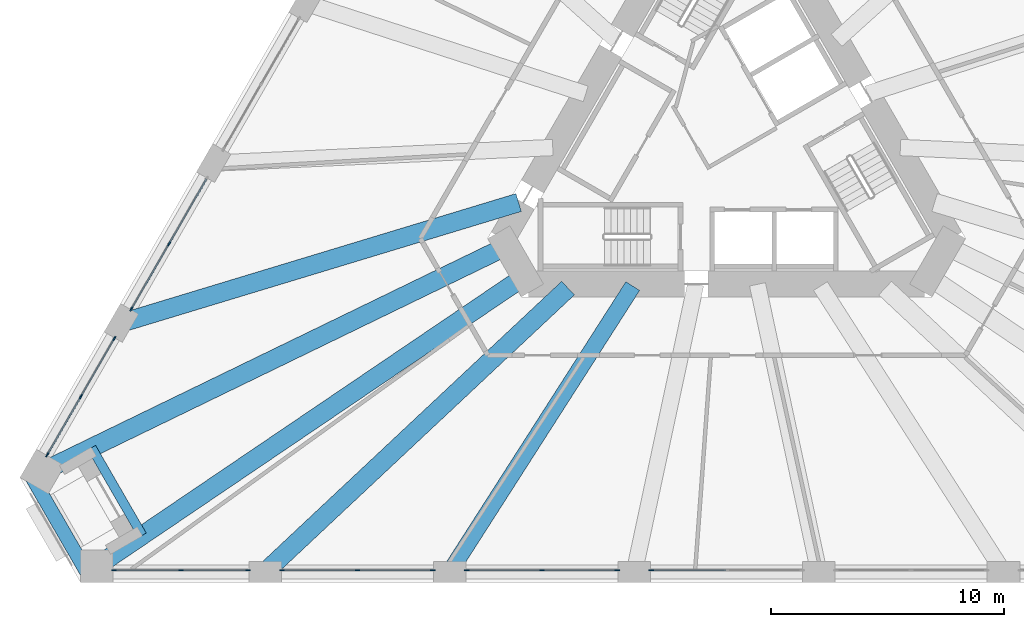
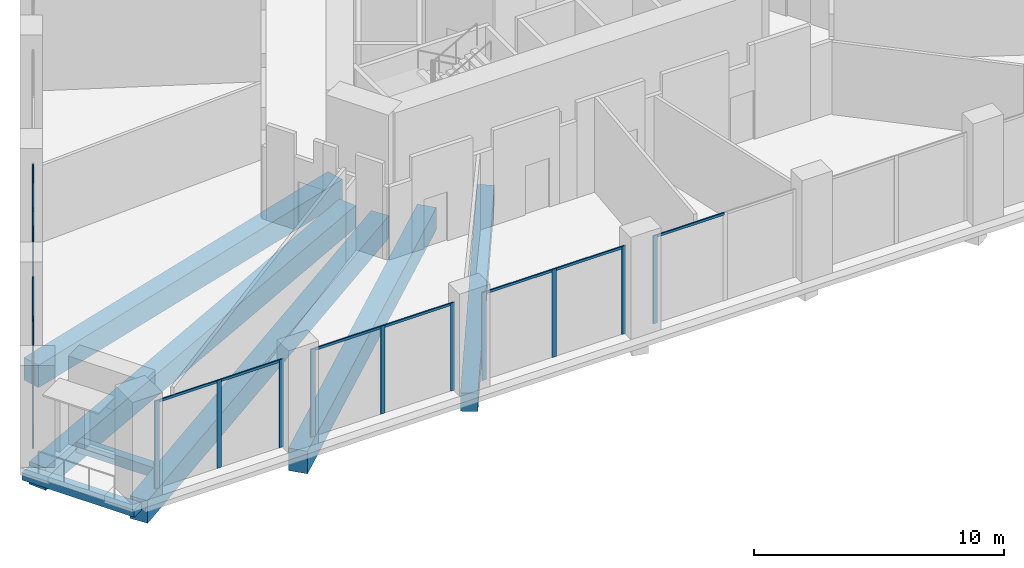
# One storey, part 2 of 20: 26 members, 7 beams, 6 elements without a shape of their own.
"""IFC4 building model written with IfcOpenShell, lengths in metres."""

from ifc_helpers import new_model, si_unit, direction, frame, origin, origin_2d, place, context, subcontext, project, spatial, rectangle, extrude, material, layer, layer_set, material_profile, profile_set, type_object, element, aggregate, save


model = new_model("IFC4")

# Units and contexts
model_context = context("Model", 3, precision=1e-05, world=origin(), true_north=direction((0.0, 1.0)))
body_context = subcontext(model_context, "Body", "Model", "MODEL_VIEW")
ifc_project = project(units=[si_unit("LENGTHUNIT", "METRE"), si_unit("AREAUNIT", "SQUARE_METRE"), si_unit("VOLUMEUNIT", "CUBIC_METRE"), si_unit("PLANEANGLEUNIT", "RADIAN"), si_unit("MASSUNIT", "GRAM", prefix="KILO")], contexts=[model_context])

# Site, building, storey
site_placement = place(None, origin())
site = spatial("IfcSite", under=ifc_project, at=site_placement, CompositionType="ELEMENT")
building_placement = place(site_placement, origin())
building = spatial("IfcBuilding", under=site, at=building_placement, Name="Tramontana Tower", CompositionType="ELEMENT")
storey_placement = place(building_placement, frame((0.0, 0.0, 20.0)))
storey = spatial("IfcBuildingStorey", under=building, at=storey_placement, Name="L03", CompositionType="ELEMENT", Elevation=20.0)

# Curtain wall, members
ifc_material_1 = material(Name="Aluminum extrusion", Category="aluminium")
ifc_layer = layer(ifc_material_1, 0.14990234375)
ifc_layer_set = layer_set([ifc_layer], Name="CW2 Podium amenity curtain wall")
curtain_wall_type = type_object("IfcCurtainWallType", Name="CW2 Podium amenity curtain wall", PredefinedType="NOTDEFINED", material=ifc_layer_set)
curtain_wall_1_placement = place(storey_placement, origin())
curtain_wall_1 = element("IfcCurtainWall", 1, at=curtain_wall_1_placement, inside=storey, type_object=curtain_wall_type, Name="CW2 curtain wall L03 face 0 bay 6", PredefinedType="NOTDEFINED")
ifc_material_2 = material(Name="Aluminum extrusion", Category="aluminium")
ifc_material_profile_1 = material_profile(ifc_material_2, rectangle(XDim=0.06005859375, YDim=0.199951171875, at=origin_2d()), Name="CW2-M Mullion 60 x 200")
ifc_profile_set_1 = profile_set([ifc_material_profile_1], Name="Aluminum extrusion")
member_type_1 = type_object("IfcMemberType", Name="CW2-M Mullion 60 x 200", PredefinedType="MULLION", material=ifc_profile_set_1)
member_1_placement = place(storey_placement, frame((-23.917724609375, -4.476806640625, 0.0), z_axis=(0.0, 0.0, 1.0), x_axis=(0.866025403784, -0.5, 0.0)))
member_1 = element("IfcMember", 2, at=member_1_placement, type_object=member_type_1, Name="CW2 curtain wall L03 face 0 bay 6 mullion 2", PredefinedType="MULLION", context=body_context, shape_type="SweptSolid", body=[
    extrude(rectangle(XDim=0.06005859375, YDim=0.199951171875, at=origin_2d()), origin(), (0.0, 0.0, 1.0), 4.300048828125),
])
member_2_placement = place(storey_placement, frame((-25.5322265625, -7.273193359375, 0.0), z_axis=(0.0, 0.0, 1.0), x_axis=(0.866025403784, -0.5, 0.0)))
member_2 = element("IfcMember", 3, at=member_2_placement, type_object=member_type_1, Name="CW2 curtain wall L03 face 0 bay 6 mullion 3", PredefinedType="MULLION", context=body_context, shape_type="SweptSolid", body=[
    extrude(rectangle(XDim=0.06005859375, YDim=0.199951171875, at=origin_2d()), origin(), (0.0, 0.0, 1.0), 4.300048828125),
])

curtain_wall_2_placement = place(storey_placement, origin())
curtain_wall_2 = element("IfcCurtainWall", 4, at=curtain_wall_2_placement, inside=storey, type_object=curtain_wall_type, Name="CW2 curtain wall L03 face 0 bay 7", PredefinedType="NOTDEFINED")
member_3_placement = place(storey_placement, frame((-26.26220703125, -8.53759765625, 0.0), z_axis=(0.0, 0.0, 1.0), x_axis=(0.866025403784, -0.5, 0.0)))
member_3 = element("IfcMember", 5, at=member_3_placement, type_object=member_type_1, Name="CW2 curtain wall L03 face 0 bay 7 mullion 1", PredefinedType="MULLION", context=body_context, shape_type="SweptSolid", body=[
    extrude(rectangle(XDim=0.06005859375, YDim=0.199951171875, at=origin_2d()), origin(), (0.0, 0.0, 1.0), 4.300048828125),
])
member_4_placement = place(storey_placement, frame((-27.70166015625, -11.03076171875, 0.0), z_axis=(0.0, 0.0, 1.0), x_axis=(0.866025403784, -0.5, 0.0)))
member_4 = element("IfcMember", 6, at=member_4_placement, type_object=member_type_1, Name="CW2 curtain wall L03 face 0 bay 7 mullion 2", PredefinedType="MULLION", context=body_context, shape_type="SweptSolid", body=[
    extrude(rectangle(XDim=0.06005859375, YDim=0.199951171875, at=origin_2d()), origin(), (0.0, 0.0, 1.0), 4.300048828125),
])
member_5_placement = place(storey_placement, frame((-29.14111328125, -13.524169921875, 0.0), z_axis=(0.0, 0.0, 1.0), x_axis=(0.866025403784, -0.5, 0.0)))
member_5 = element("IfcMember", 7, at=member_5_placement, type_object=member_type_1, Name="CW2 curtain wall L03 face 0 bay 7 mullion 3", PredefinedType="MULLION", context=body_context, shape_type="SweptSolid", body=[
    extrude(rectangle(XDim=0.06005859375, YDim=0.199951171875, at=origin_2d()), origin(), (0.0, 0.0, 1.0), 4.300048828125),
])

curtain_wall_3_placement = place(storey_placement, origin())
curtain_wall_3 = element("IfcCurtainWall", 8, at=curtain_wall_3_placement, inside=storey, type_object=curtain_wall_type, Name="CW2 curtain wall L03 face 1 bay 1", PredefinedType="NOTDEFINED")
member_6_placement = place(storey_placement, frame((-26.28271484375, -18.47509765625, 0.0), z_axis=(0.0, 0.0, 1.0), x_axis=(0.0, 1.0, 0.0)))
member_6 = element("IfcMember", 9, at=member_6_placement, type_object=member_type_1, Name="CW2 curtain wall L03 face 1 bay 1 mullion 1", PredefinedType="MULLION", context=body_context, shape_type="SweptSolid", body=[
    extrude(rectangle(XDim=0.06005859375, YDim=0.199951171875, at=origin_2d()), origin(), (0.0, 0.0, 1.0), 4.300048828125),
])
member_7_placement = place(storey_placement, frame((-23.40380859375, -18.47509765625, 0.0), z_axis=(0.0, 0.0, 1.0), x_axis=(0.0, 1.0, 0.0)))
member_7 = element("IfcMember", 10, at=member_7_placement, type_object=member_type_1, Name="CW2 curtain wall L03 face 1 bay 1 mullion 2", PredefinedType="MULLION", context=body_context, shape_type="SweptSolid", body=[
    extrude(rectangle(XDim=0.06005859375, YDim=0.199951171875, at=origin_2d()), origin(), (0.0, 0.0, 1.0), 4.300048828125),
])
member_8_placement = place(storey_placement, frame((-20.52490234375, -18.47509765625, 0.0), z_axis=(0.0, 0.0, 1.0), x_axis=(0.0, 1.0, 0.0)))
member_8 = element("IfcMember", 11, at=member_8_placement, type_object=member_type_1, Name="CW2 curtain wall L03 face 1 bay 1 mullion 3", PredefinedType="MULLION", context=body_context, shape_type="SweptSolid", body=[
    extrude(rectangle(XDim=0.06005859375, YDim=0.199951171875, at=origin_2d()), origin(), (0.0, 0.0, 1.0), 4.300048828125),
])

curtain_wall_4_placement = place(storey_placement, origin())
curtain_wall_4 = element("IfcCurtainWall", 12, at=curtain_wall_4_placement, inside=storey, type_object=curtain_wall_type, Name="CW2 curtain wall L03 face 1 bay 2", PredefinedType="NOTDEFINED")
member_9_placement = place(storey_placement, frame((-19.06494140625, -18.47509765625, 0.0), z_axis=(0.0, 0.0, 1.0), x_axis=(0.0, 1.0, 0.0)))
member_9 = element("IfcMember", 13, at=member_9_placement, type_object=member_type_1, Name="CW2 curtain wall L03 face 1 bay 2 mullion 1", PredefinedType="MULLION", context=body_context, shape_type="SweptSolid", body=[
    extrude(rectangle(XDim=0.06005859375, YDim=0.199951171875, at=origin_2d()), origin(), (0.0, 0.0, 1.0), 4.300048828125),
])
member_10_placement = place(storey_placement, frame((-15.8359375, -18.47509765625, 0.0), z_axis=(0.0, 0.0, 1.0), x_axis=(0.0, 1.0, 0.0)))
member_10 = element("IfcMember", 14, at=member_10_placement, type_object=member_type_1, Name="CW2 curtain wall L03 face 1 bay 2 mullion 2", PredefinedType="MULLION", context=body_context, shape_type="SweptSolid", body=[
    extrude(rectangle(XDim=0.06005859375, YDim=0.199951171875, at=origin_2d()), origin(), (0.0, 0.0, 1.0), 4.300048828125),
])
member_11_placement = place(storey_placement, frame((-12.60693359375, -18.47509765625, 0.0), z_axis=(0.0, 0.0, 1.0), x_axis=(0.0, 1.0, 0.0)))
member_11 = element("IfcMember", 15, at=member_11_placement, type_object=member_type_1, Name="CW2 curtain wall L03 face 1 bay 2 mullion 3", PredefinedType="MULLION", context=body_context, shape_type="SweptSolid", body=[
    extrude(rectangle(XDim=0.06005859375, YDim=0.199951171875, at=origin_2d()), origin(), (0.0, 0.0, 1.0), 4.300048828125),
])

curtain_wall_5_placement = place(storey_placement, origin())
curtain_wall_5 = element("IfcCurtainWall", 16, at=curtain_wall_5_placement, inside=storey, type_object=curtain_wall_type, Name="CW2 curtain wall L03 face 1 bay 3", PredefinedType="NOTDEFINED")
member_12_placement = place(storey_placement, frame((-11.14697265625, -18.47509765625, 0.0), z_axis=(0.0, 0.0, 1.0), x_axis=(0.0, 1.0, 0.0)))
member_12 = element("IfcMember", 17, at=member_12_placement, type_object=member_type_1, Name="CW2 curtain wall L03 face 1 bay 3 mullion 1", PredefinedType="MULLION", context=body_context, shape_type="SweptSolid", body=[
    extrude(rectangle(XDim=0.06005859375, YDim=0.199951171875, at=origin_2d()), origin(), (0.0, 0.0, 1.0), 4.300048828125),
])
member_13_placement = place(storey_placement, frame((-7.91796875, -18.47509765625, 0.0), z_axis=(0.0, 0.0, 1.0), x_axis=(0.0, 1.0, 0.0)))
member_13 = element("IfcMember", 18, at=member_13_placement, type_object=member_type_1, Name="CW2 curtain wall L03 face 1 bay 3 mullion 2", PredefinedType="MULLION", context=body_context, shape_type="SweptSolid", body=[
    extrude(rectangle(XDim=0.06005859375, YDim=0.199951171875, at=origin_2d()), origin(), (0.0, 0.0, 1.0), 4.300048828125),
])
member_14_placement = place(storey_placement, frame((-4.68896484375, -18.47509765625, 0.0), z_axis=(0.0, 0.0, 1.0), x_axis=(0.0, 1.0, 0.0)))
member_14 = element("IfcMember", 19, at=member_14_placement, type_object=member_type_1, Name="CW2 curtain wall L03 face 1 bay 3 mullion 3", PredefinedType="MULLION", context=body_context, shape_type="SweptSolid", body=[
    extrude(rectangle(XDim=0.06005859375, YDim=0.199951171875, at=origin_2d()), origin(), (0.0, 0.0, 1.0), 4.300048828125),
])

# Curtain wall, member
curtain_wall_6_placement = place(storey_placement, origin())
curtain_wall_6 = element("IfcCurtainWall", 20, at=curtain_wall_6_placement, inside=storey, type_object=curtain_wall_type, Name="CW2 curtain wall L03 face 1 bay 4", PredefinedType="NOTDEFINED")
member_15_placement = place(storey_placement, frame((-3.22900390625, -18.47509765625, 0.0), z_axis=(0.0, 0.0, 1.0), x_axis=(0.0, 1.0, 0.0)))
member_15 = element("IfcMember", 21, at=member_15_placement, type_object=member_type_1, Name="CW2 curtain wall L03 face 1 bay 4 mullion 1", PredefinedType="MULLION", context=body_context, shape_type="SweptSolid", body=[
    extrude(rectangle(XDim=0.06005859375, YDim=0.199951171875, at=origin_2d()), origin(), (0.0, 0.0, 1.0), 4.300048828125),
])

# Member
ifc_material_3 = material(Name="Aluminum extrusion", Category="aluminium")
ifc_material_profile_2 = material_profile(ifc_material_3, rectangle(XDim=0.06005859375, YDim=0.1201171875, at=origin_2d()), Name="CW2-T Transom 60 x 120")
ifc_profile_set_2 = profile_set([ifc_material_profile_2], Name="Aluminum extrusion")
member_type_2 = type_object("IfcMemberType", Name="CW2-T Transom 60 x 120", PredefinedType="USERDEFINED", material=ifc_profile_set_2)
member_16_placement = place(storey_placement, frame((-22.318359375, -1.706298828125, 4.239990234375), z_axis=(-0.500000324964, -0.866025216166, 0.0), x_axis=(0.866025216166, -0.500000324964, 0.0)))
member_16 = element("IfcMember", 22, at=member_16_placement, type_object=member_type_2, Name="CW2 curtain wall L03 face 0 bay 6 transom 1.1", ObjectType="TRANSOM", PredefinedType="USERDEFINED", context=body_context, shape_type="SweptSolid", body=[
    extrude(rectangle(XDim=0.06005859375, YDim=0.1201171875, at=origin_2d()), origin(), (0.0, 0.0, 1.0), 3.1689453125),
])

member_17_placement = place(storey_placement, frame((-23.932861328125, -4.502685546875, 4.239990234375), z_axis=(-0.500000324964, -0.866025216166, 0.0), x_axis=(0.866025216166, -0.500000324964, 0.0)))
member_17 = element("IfcMember", 23, at=member_17_placement, type_object=member_type_2, Name="CW2 curtain wall L03 face 0 bay 6 transom 2.1", ObjectType="TRANSOM", PredefinedType="USERDEFINED", context=body_context, shape_type="SweptSolid", body=[
    extrude(rectangle(XDim=0.06005859375, YDim=0.1201171875, at=origin_2d()), origin(), (0.0, 0.0, 1.0), 3.1689453125),
])

aggregate(curtain_wall_1, [member_1, member_2, member_16, member_17])

member_18_placement = place(storey_placement, frame((-26.27734375, -8.5634765625, 4.239990234375), z_axis=(-0.499967348137, -0.866044254525, 0.0), x_axis=(0.866044254525, -0.499967348137, 0.0)))
member_18 = element("IfcMember", 24, at=member_18_placement, type_object=member_type_2, Name="CW2 curtain wall L03 face 0 bay 7 transom 1.1", ObjectType="TRANSOM", PredefinedType="USERDEFINED", context=body_context, shape_type="SweptSolid", body=[
    extrude(rectangle(XDim=0.06005859375, YDim=0.1201171875, at=origin_2d()), origin(), (0.0, 0.0, 1.0), 2.819091796875),
])

member_19_placement = place(storey_placement, frame((-27.716796875, -11.056884765625, 4.239990234375), z_axis=(-0.500004849665, -0.866022603811, 0.0), x_axis=(0.866022603811, -0.500004849665, 0.0)))
member_19 = element("IfcMember", 25, at=member_19_placement, type_object=member_type_2, Name="CW2 curtain wall L03 face 0 bay 7 transom 2.1", ObjectType="TRANSOM", PredefinedType="USERDEFINED", context=body_context, shape_type="SweptSolid", body=[
    extrude(rectangle(XDim=0.06005859375, YDim=0.1201171875, at=origin_2d()), origin(), (0.0, 0.0, 1.0), 2.81884765625),
])

aggregate(curtain_wall_2, [member_3, member_4, member_5, member_18, member_19])

member_20_placement = place(storey_placement, frame((-26.2529296875, -18.47509765625, 4.239990234375), z_axis=(1.0, 0.0, 0.0), x_axis=(0.0, 1.0, 0.0)))
member_20 = element("IfcMember", 26, at=member_20_placement, type_object=member_type_2, Name="CW2 curtain wall L03 face 1 bay 1 transom 1.1", ObjectType="TRANSOM", PredefinedType="USERDEFINED", context=body_context, shape_type="SweptSolid", body=[
    extrude(rectangle(XDim=0.06005859375, YDim=0.1201171875, at=origin_2d()), origin(), (0.0, 0.0, 1.0), 2.819091796875),
])

member_21_placement = place(storey_placement, frame((-23.373779296875, -18.47509765625, 4.239990234375), z_axis=(1.0, 0.0, 0.0), x_axis=(0.0, 1.0, 0.0)))
member_21 = element("IfcMember", 27, at=member_21_placement, type_object=member_type_2, Name="CW2 curtain wall L03 face 1 bay 1 transom 2.1", ObjectType="TRANSOM", PredefinedType="USERDEFINED", context=body_context, shape_type="SweptSolid", body=[
    extrude(rectangle(XDim=0.06005859375, YDim=0.1201171875, at=origin_2d()), origin(), (0.0, 0.0, 1.0), 2.81884765625),
])

aggregate(curtain_wall_3, [member_6, member_7, member_8, member_20, member_21])

member_22_placement = place(storey_placement, frame((-19.034912109375, -18.47509765625, 4.239990234375), z_axis=(1.0, 0.0, 0.0), x_axis=(0.0, 1.0, 0.0)))
member_22 = element("IfcMember", 28, at=member_22_placement, type_object=member_type_2, Name="CW2 curtain wall L03 face 1 bay 2 transom 1.1", ObjectType="TRANSOM", PredefinedType="USERDEFINED", context=body_context, shape_type="SweptSolid", body=[
    extrude(rectangle(XDim=0.06005859375, YDim=0.1201171875, at=origin_2d()), origin(), (0.0, 0.0, 1.0), 3.1689453125),
])

member_23_placement = place(storey_placement, frame((-15.805908203125, -18.47509765625, 4.239990234375), z_axis=(1.0, 0.0, 0.0), x_axis=(0.0, 1.0, 0.0)))
member_23 = element("IfcMember", 29, at=member_23_placement, type_object=member_type_2, Name="CW2 curtain wall L03 face 1 bay 2 transom 2.1", ObjectType="TRANSOM", PredefinedType="USERDEFINED", context=body_context, shape_type="SweptSolid", body=[
    extrude(rectangle(XDim=0.06005859375, YDim=0.1201171875, at=origin_2d()), origin(), (0.0, 0.0, 1.0), 3.1689453125),
])

aggregate(curtain_wall_4, [member_9, member_10, member_11, member_22, member_23])

member_24_placement = place(storey_placement, frame((-11.116943359375, -18.47509765625, 4.239990234375), z_axis=(1.0, 0.0, 0.0), x_axis=(0.0, 1.0, 0.0)))
member_24 = element("IfcMember", 30, at=member_24_placement, type_object=member_type_2, Name="CW2 curtain wall L03 face 1 bay 3 transom 1.1", ObjectType="TRANSOM", PredefinedType="USERDEFINED", context=body_context, shape_type="SweptSolid", body=[
    extrude(rectangle(XDim=0.06005859375, YDim=0.1201171875, at=origin_2d()), origin(), (0.0, 0.0, 1.0), 3.1689453125),
])

member_25_placement = place(storey_placement, frame((-7.887939453125, -18.47509765625, 4.239990234375), z_axis=(1.0, 0.0, 0.0), x_axis=(0.0, 1.0, 0.0)))
member_25 = element("IfcMember", 31, at=member_25_placement, type_object=member_type_2, Name="CW2 curtain wall L03 face 1 bay 3 transom 2.1", ObjectType="TRANSOM", PredefinedType="USERDEFINED", context=body_context, shape_type="SweptSolid", body=[
    extrude(rectangle(XDim=0.06005859375, YDim=0.1201171875, at=origin_2d()), origin(), (0.0, 0.0, 1.0), 3.1689453125),
])

aggregate(curtain_wall_5, [member_12, member_13, member_14, member_24, member_25])

member_26_placement = place(storey_placement, frame((-3.198974609375, -18.47509765625, 4.239990234375), z_axis=(1.0, 0.0, 0.0), x_axis=(0.0, 1.0, 0.0)))
member_26 = element("IfcMember", 32, at=member_26_placement, type_object=member_type_2, Name="CW2 curtain wall L03 face 1 bay 4 transom 1.1", ObjectType="TRANSOM", PredefinedType="USERDEFINED", context=body_context, shape_type="SweptSolid", body=[
    extrude(rectangle(XDim=0.06005859375, YDim=0.1201171875, at=origin_2d()), origin(), (0.0, 0.0, 1.0), 3.1689453125),
])

aggregate(curtain_wall_6, [member_15, member_26])

# Beams
ifc_material_4 = material(Name="Concrete 40 MPa", Category="concrete")
ifc_material_profile_3 = material_profile(ifc_material_4, rectangle(XDim=0.60009765625, YDim=0.35009765625, at=origin_2d()), Name="RC EDGE BEAM 600X350 40 MPa")
ifc_profile_set_3 = profile_set([ifc_material_profile_3], Name="Concrete 40 MPa")
beam_type_1 = type_object("IfcBeamType", Name="RC EDGE BEAM 600X350 40 MPa", PredefinedType="SPANDREL", material=ifc_profile_set_3)
beam_1_placement = place(storey_placement, frame((-29.921142578125, -14.27490234375, -0.52490234375), z_axis=(0.50000986103, -0.866019710441, 0.0), x_axis=(0.866019710441, 0.50000986103, 0.0)))
element("IfcBeam", 33, at=beam_1_placement, inside=storey, type_object=beam_type_1, Name="Spandrel beam K1 L03", PredefinedType="SPANDREL", context=body_context, shape_type="SweptSolid", body=[
    extrude(rectangle(XDim=0.60009765625, YDim=0.35009765625, at=origin_2d()), origin(), (0.0, 0.0, 1.0), 5.1962890625),
])
ifc_material_5 = material(Name="Concrete 40 MPa", Category="concrete")
ifc_material_profile_4 = material_profile(ifc_material_5, rectangle(XDim=0.699951171875, YDim=0.89990234375, at=origin_2d()), Name="RC GIRDER 700X900 40 MPa")
ifc_profile_set_4 = profile_set([ifc_material_profile_4], Name="Concrete 40 MPa")
beam_type_2 = type_object("IfcBeamType", Name="RC GIRDER 700X900 40 MPa", PredefinedType="BEAM", material=ifc_profile_set_4)
beam_2_placement = place(storey_placement, frame((-11.876953125, -18.550048828125, -0.800048828125), z_axis=(0.539217827497, 0.84216633423, 0.0), x_axis=(-0.84216633423, 0.539217827497, 0.0)))
element("IfcBeam", 34, at=beam_2_placement, inside=storey, type_object=beam_type_2, Name="Radial girder C0F08 L03", PredefinedType="BEAM", context=body_context, shape_type="SweptSolid", body=[
    extrude(rectangle(XDim=0.699951171875, YDim=0.89990234375, at=origin_2d()), origin(), (0.0, 0.0, 1.0), 14.5615234375),
])
ifc_material_6 = material(Name="Concrete 40 MPa", Category="concrete")
ifc_material_profile_5 = material_profile(ifc_material_6, rectangle(XDim=0.800048828125, YDim=1.10009765625, at=origin_2d()), Name="RC GIRDER 800X1100 40 MPa")
ifc_profile_set_5 = profile_set([ifc_material_profile_5], Name="Concrete 40 MPa")
beam_type_3 = type_object("IfcBeamType", Name="RC GIRDER 800X1100 40 MPa", PredefinedType="BEAM", material=ifc_profile_set_5)
beam_3_placement = place(storey_placement, frame((-25.962158203125, -7.867919921875, -0.89990234375), z_axis=(0.95701990712, 0.290022236004, 0.0), x_axis=(-0.290022236004, 0.95701990712, 0.0)))
element("IfcBeam", 35, at=beam_3_placement, inside=storey, type_object=beam_type_3, Name="Radial girder C0F06 L03", PredefinedType="BEAM", context=body_context, shape_type="SweptSolid", body=[
    extrude(rectangle(XDim=0.800048828125, YDim=1.10009765625, at=origin_2d()), origin(), (0.0, 0.0, 1.0), 17.806640625),
])
beam_4_placement = place(storey_placement, frame((-29.354736328125, -14.243896484375, -0.89990234375), z_axis=(0.899679009302, 0.436552036098, 0.0), x_axis=(-0.436552036098, 0.899679009302, 0.0)))
element("IfcBeam", 36, at=beam_4_placement, inside=storey, type_object=beam_type_3, Name="Radial girder C0K2 L03", PredefinedType="BEAM", context=body_context, shape_type="SweptSolid", body=[
    extrude(rectangle(XDim=0.800048828125, YDim=1.10009765625, at=origin_2d()), origin(), (0.0, 0.0, 1.0), 22.149658203125),
])
beam_5_placement = place(storey_placement, frame((-27.0126953125, -18.300048828125, -0.89990234375), z_axis=(0.827898052271, 0.560878609903, 0.0), x_axis=(-0.560878609903, 0.827898052271, 0.0)))
element("IfcBeam", 37, at=beam_5_placement, inside=storey, type_object=beam_type_3, Name="Radial girder C0K3 L03", PredefinedType="BEAM", context=body_context, shape_type="SweptSolid", body=[
    extrude(rectangle(XDim=0.800048828125, YDim=1.10009765625, at=origin_2d()), origin(), (0.0, 0.0, 1.0), 22.1494140625),
])
beam_6_placement = place(storey_placement, frame((-19.794921875, -18.550048828125, -0.89990234375), z_axis=(0.72967229952, 0.683796998614, 0.0), x_axis=(-0.683796998614, 0.72967229952, 0.0)))
element("IfcBeam", 38, at=beam_6_placement, inside=storey, type_object=beam_type_3, Name="Radial girder C0F07 L03", PredefinedType="BEAM", context=body_context, shape_type="SweptSolid", body=[
    extrude(rectangle(XDim=0.800048828125, YDim=1.10009765625, at=origin_2d()), origin(), (0.0, 0.0, 1.0), 17.806884765625),
])
ifc_material_7 = material(Name="Concrete 40 MPa", Category="concrete")
ifc_material_profile_6 = material_profile(ifc_material_7, rectangle(XDim=0.39990234375, YDim=0.5, at=origin_2d()), Name="RC TRIM BEAM 400X500 40 MPa")
ifc_profile_set_6 = profile_set([ifc_material_profile_6], Name="Concrete 40 MPa")
beam_type_4 = type_object("IfcBeamType", Name="RC TRIM BEAM 400X500 40 MPa", PredefinedType="JOIST", material=ifc_profile_set_6)
beam_7_placement = place(storey_placement, frame((-27.240478515625, -13.218017578125, -0.60009765625), z_axis=(0.499999616612, -0.866025625133, 0.0), x_axis=(0.866025625133, 0.499999616612, 0.0)))
element("IfcBeam", 39, at=beam_7_placement, inside=storey, type_object=beam_type_4, Name="Trimmer beam K1 L03", PredefinedType="JOIST", context=body_context, shape_type="SweptSolid", body=[
    extrude(rectangle(XDim=0.39990234375, YDim=0.5, at=origin_2d()), origin(), (0.0, 0.0, 1.0), 4.34619140625),
])

save(model, "model.ifc")
